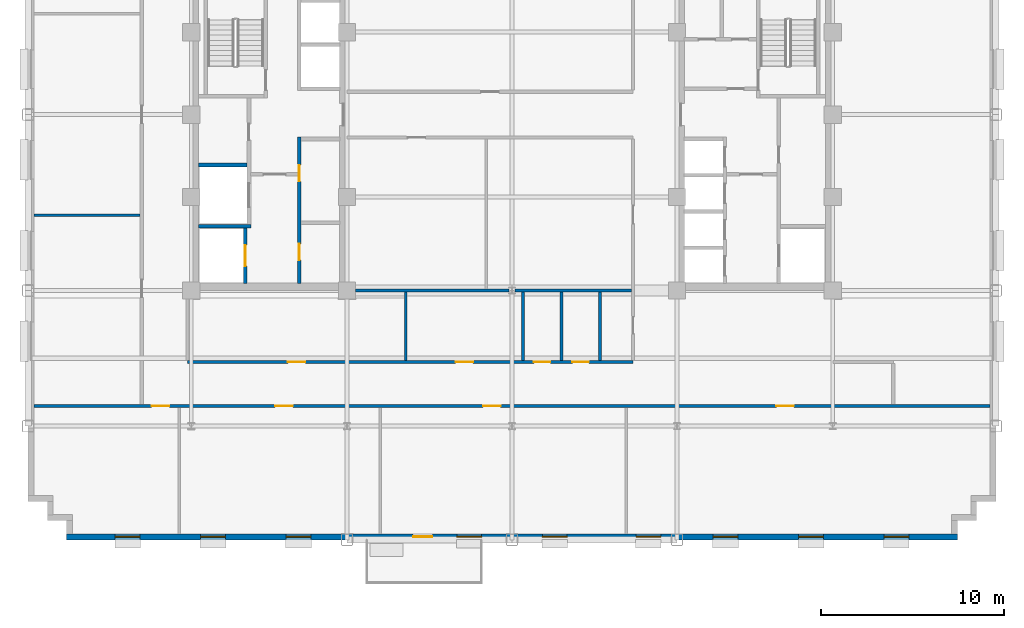
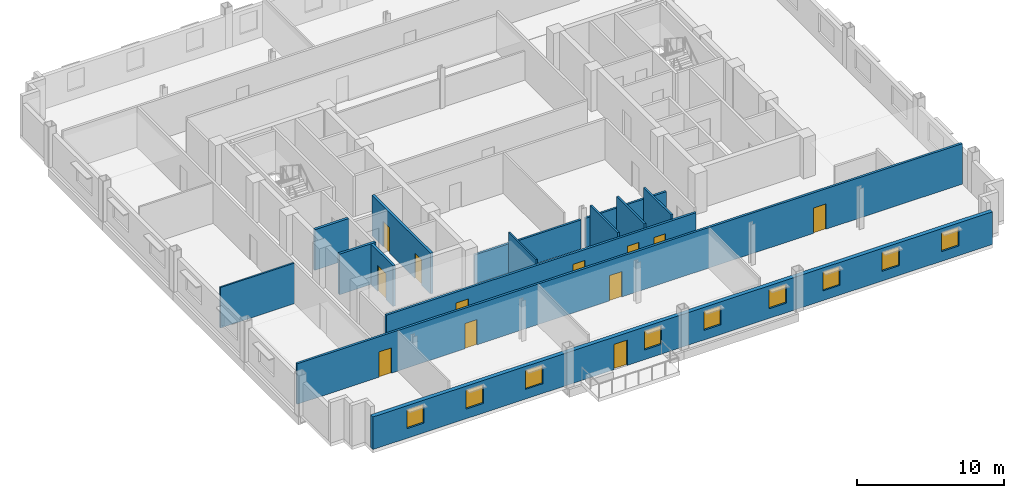
# One storey, part 6 of 13: 14 walls, 12 doors, 9 windows, 21 openings.
"""IFC4 building model written with IfcOpenShell, lengths in metres."""

from ifc_helpers import new_model, si_unit, direction, frame, frame_2d, origin, place, context, subcontext, project, spatial, rectangle, extrude, source, transform, mapped, material, layer, layer_set, type_object, type_shapes, element, fill, save


model = new_model("IFC4")

# Units and contexts
model_context = context("Model", 3, precision=1e-05, world=origin(), true_north=direction((0.0, 1.0)))
body_context = subcontext(model_context, "Body", "Model", "MODEL_VIEW")
ifc_project = project(units=[si_unit("LENGTHUNIT", "METRE"), si_unit("AREAUNIT", "SQUARE_METRE"), si_unit("VOLUMEUNIT", "CUBIC_METRE"), si_unit("PLANEANGLEUNIT", "RADIAN"), si_unit("MASSUNIT", "GRAM", prefix="KILO")], contexts=[model_context])

# Site, building, storey
site_placement = place(None, origin())
site = spatial("IfcSite", under=ifc_project, at=site_placement, CompositionType="ELEMENT")
building_placement = place(site_placement, origin())
building = spatial("IfcBuilding", under=site, at=building_placement, Name="Nuvemarco Arch Tower", CompositionType="ELEMENT")
storey_placement = place(building_placement, frame((0.0, 0.0, 153.050048828125)))
storey = spatial("IfcBuildingStorey", under=building, at=storey_placement, Name="L40", CompositionType="ELEMENT", Elevation=153.050048828125)

# Wall, openings, door, windows
ifc_material_1 = material(Name="Precast concrete C45/55", Category="concrete")
ifc_layer_1 = layer(ifc_material_1, 0.320068359375, Name="EW-MID-320")
ifc_layer_set_1 = layer_set([ifc_layer_1], Name="Precast concrete C45/55")
wall_type_1 = type_object("IfcWallType", Name="EW-MID-320", PredefinedType="STANDARD", material=ifc_layer_set_1)
wall_1_placement = place(storey_placement, frame((-24.300048828125, -23.0400390625, 0.0), z_axis=(0.0, 0.0, 1.0), x_axis=(1.0, 0.0, 0.0)))
wall_1 = element("IfcWall", 1, at=wall_1_placement, inside=storey, type_object=wall_type_1, Name="L40 exterior precast facade wall 1", PredefinedType="STANDARD", context=body_context, shape_type="SweptSolid", body=[
    extrude(rectangle(XDim=48.60009765625, YDim=0.320068359375, at=frame_2d((24.300048828125, 0.0))), origin(), (0.0, 0.0, 1.0), 2.704833984375),
])
opening_1_placement = place(wall_1_placement, frame((19.949951171875, 0.0, 0.0), z_axis=(0.0, 0.0, 1.0), x_axis=(-1.0, 0.0, 0.0)))
opening_1 = element("IfcOpeningElement", 2, at=opening_1_placement, cuts=wall_1, Name="Opening ED-5", PredefinedType="OPENING", context=body_context, shape_type="SweptSolid", body=[
    extrude(rectangle(XDim=1.050048828125, YDim=2.10009765625, at=frame_2d((0.52490234375, 1.050048828125))), frame((0.0, 0.169921875, 0.0), z_axis=(0.0, -1.0, 0.0), x_axis=(1.0, 0.0, 0.0)), (0.0, 0.0, 1.0), 0.340087890625),
])
opening_2_placement = place(wall_1_placement, frame((2.655029296875, 0.0, 0.800048828125)))
opening_2 = element("IfcOpeningElement", 3, at=opening_2_placement, cuts=wall_1, Name="Opening WN-6", PredefinedType="OPENING", context=body_context, shape_type="SweptSolid", body=[
    extrude(rectangle(XDim=1.35009765625, YDim=1.56005859375, at=frame_2d((0.675048828125, 0.780029296875))), frame((0.0, 0.169921875, 0.0), z_axis=(0.0, -1.0, 0.0), x_axis=(1.0, 0.0, 0.0)), (0.0, 0.0, 1.0), 0.340087890625),
])
opening_3_placement = place(wall_1_placement, frame((7.31494140625, 0.0, 0.800048828125)))
opening_3 = element("IfcOpeningElement", 4, at=opening_3_placement, cuts=wall_1, Name="Opening WN-6", PredefinedType="OPENING", context=body_context, shape_type="SweptSolid", body=[
    extrude(rectangle(XDim=1.35009765625, YDim=1.56005859375, at=frame_2d((0.675048828125, 0.780029296875))), frame((0.0, 0.169921875, 0.0), z_axis=(0.0, -1.0, 0.0), x_axis=(1.0, 0.0, 0.0)), (0.0, 0.0, 1.0), 0.340087890625),
])
opening_4_placement = place(wall_1_placement, frame((11.97509765625, 0.0, 0.800048828125)))
opening_4 = element("IfcOpeningElement", 5, at=opening_4_placement, cuts=wall_1, Name="Opening WN-6", PredefinedType="OPENING", context=body_context, shape_type="SweptSolid", body=[
    extrude(rectangle(XDim=1.35009765625, YDim=1.56005859375, at=frame_2d((0.675048828125, 0.780029296875))), frame((0.0, 0.169921875, 0.0), z_axis=(0.0, -1.0, 0.0), x_axis=(1.0, 0.0, 0.0)), (0.0, 0.0, 1.0), 0.340087890625),
])
opening_5_placement = place(wall_1_placement, frame((21.294921875, 0.0, 0.800048828125)))
opening_5 = element("IfcOpeningElement", 6, at=opening_5_placement, cuts=wall_1, Name="Opening WN-6", PredefinedType="OPENING", context=body_context, shape_type="SweptSolid", body=[
    extrude(rectangle(XDim=1.35009765625, YDim=1.56005859375, at=frame_2d((0.675048828125, 0.780029296875))), frame((0.0, 0.169921875, 0.0), z_axis=(0.0, -1.0, 0.0), x_axis=(1.0, 0.0, 0.0)), (0.0, 0.0, 1.0), 0.340087890625),
])
opening_6_placement = place(wall_1_placement, frame((25.955078125, 0.0, 0.800048828125)))
opening_6 = element("IfcOpeningElement", 7, at=opening_6_placement, cuts=wall_1, Name="Opening WN-6", PredefinedType="OPENING", context=body_context, shape_type="SweptSolid", body=[
    extrude(rectangle(XDim=1.35009765625, YDim=1.56005859375, at=frame_2d((0.675048828125, 0.780029296875))), frame((0.0, 0.169921875, 0.0), z_axis=(0.0, -1.0, 0.0), x_axis=(1.0, 0.0, 0.0)), (0.0, 0.0, 1.0), 0.340087890625),
])
opening_7_placement = place(wall_1_placement, frame((31.06494140625, 0.0, 0.800048828125)))
opening_7 = element("IfcOpeningElement", 8, at=opening_7_placement, cuts=wall_1, Name="Opening WN-6", PredefinedType="OPENING", context=body_context, shape_type="SweptSolid", body=[
    extrude(rectangle(XDim=1.35009765625, YDim=1.56005859375, at=frame_2d((0.675048828125, 0.780029296875))), frame((0.0, 0.169921875, 0.0), z_axis=(0.0, -1.0, 0.0), x_axis=(1.0, 0.0, 0.0)), (0.0, 0.0, 1.0), 0.340087890625),
])
opening_8_placement = place(wall_1_placement, frame((35.27490234375, 0.0, 0.800048828125)))
opening_8 = element("IfcOpeningElement", 9, at=opening_8_placement, cuts=wall_1, Name="Opening WN-6", PredefinedType="OPENING", context=body_context, shape_type="SweptSolid", body=[
    extrude(rectangle(XDim=1.35009765625, YDim=1.56005859375, at=frame_2d((0.675048828125, 0.780029296875))), frame((0.0, 0.169921875, 0.0), z_axis=(0.0, -1.0, 0.0), x_axis=(1.0, 0.0, 0.0)), (0.0, 0.0, 1.0), 0.340087890625),
])
opening_9_placement = place(wall_1_placement, frame((39.93505859375, 0.0, 0.800048828125)))
opening_9 = element("IfcOpeningElement", 10, at=opening_9_placement, cuts=wall_1, Name="Opening WN-6", PredefinedType="OPENING", context=body_context, shape_type="SweptSolid", body=[
    extrude(rectangle(XDim=1.35009765625, YDim=1.56005859375, at=frame_2d((0.675048828125, 0.780029296875))), frame((0.0, 0.169921875, 0.0), z_axis=(0.0, -1.0, 0.0), x_axis=(1.0, 0.0, 0.0)), (0.0, 0.0, 1.0), 0.340087890625),
])
opening_10_placement = place(wall_1_placement, frame((44.594970703125, 0.0, 0.800048828125)))
opening_10 = element("IfcOpeningElement", 11, at=opening_10_placement, cuts=wall_1, Name="Opening WN-6", PredefinedType="OPENING", context=body_context, shape_type="SweptSolid", body=[
    extrude(rectangle(XDim=1.35009765625, YDim=1.56005859375, at=frame_2d((0.675048828125, 0.780029296875))), frame((0.0, 0.169921875, 0.0), z_axis=(0.0, -1.0, 0.0), x_axis=(1.0, 0.0, 0.0)), (0.0, 0.0, 1.0), 0.340087890625),
])
ifc_material_2 = material(Name="Anodised bronze and laminated glass", Category="glass")
door_type_1 = type_object("IfcDoorType", Name="DR-EXT-TERR", OperationType="NOTDEFINED", PredefinedType="DOOR", material=ifc_material_2)
shared_shape_1 = source(origin(), body_context, "Body", "SweptSolid", [
    extrude(rectangle(XDim=1.050048828125, YDim=2.10009765625, at=frame_2d((0.52490234375, 1.050048828125))), frame((0.0, 0.02490234375, 0.0), z_axis=(0.0, -1.0, 0.0), x_axis=(1.0, 0.0, 0.0)), (0.0, 0.0, 1.0), 0.050048828125),
])
type_shapes(door_type_1, [shared_shape_1])
door_1_placement = place(opening_1_placement, origin())
door_1 = element("IfcDoor", 12, at=door_1_placement, inside=storey, type_object=door_type_1, Name="L40 spiral terrace access door", OperationType="SINGLE_SWING_LEFT", OverallHeight=2.10009765625, OverallWidth=1.050048828125, PredefinedType="DOOR", context=body_context, shape_type="MappedRepresentation", body=[
    mapped(shared_shape_1, transform((0.0, 0.0, 0.0), scale=1.0)),
])
fill(opening_1, door_1)
ifc_material_3 = material(Name="Insulated solar-control glass", Category="glass")
window_type = type_object("IfcWindowType", Name="WN-MID-1350x1560", PartitioningType="SINGLE_PANEL", PredefinedType="WINDOW", material=ifc_material_3)
shared_shape_2 = source(origin(), body_context, "Body", "SweptSolid", [
    extrude(rectangle(XDim=1.35009765625, YDim=1.56005859375, at=frame_2d((0.675048828125, 0.780029296875))), frame((0.0, 0.030029296875, 0.0), z_axis=(0.0, -1.0, 0.0), x_axis=(1.0, 0.0, 0.0)), (0.0, 0.0, 1.0), 0.06005859375),
])
type_shapes(window_type, [shared_shape_2])
window_1_placement = place(opening_2_placement, origin())
window_1 = element("IfcWindow", 13, at=window_1_placement, inside=storey, type_object=window_type, Name="L40 punched facade window 1", OverallHeight=1.56005859375, OverallWidth=1.35009765625, PartitioningType="SINGLE_PANEL", PredefinedType="WINDOW", context=body_context, shape_type="MappedRepresentation", body=[
    mapped(shared_shape_2, transform((0.0, 0.0, 0.0), scale=1.0)),
])
fill(opening_2, window_1)
window_2_placement = place(opening_3_placement, origin())
window_2 = element("IfcWindow", 14, at=window_2_placement, inside=storey, type_object=window_type, Name="L40 punched facade window 2", OverallHeight=1.56005859375, OverallWidth=1.35009765625, PartitioningType="SINGLE_PANEL", PredefinedType="WINDOW", context=body_context, shape_type="MappedRepresentation", body=[
    mapped(shared_shape_2, transform((0.0, 0.0, 0.0), scale=1.0)),
])
fill(opening_3, window_2)
window_3_placement = place(opening_4_placement, origin())
window_3 = element("IfcWindow", 15, at=window_3_placement, inside=storey, type_object=window_type, Name="L40 punched facade window 3", OverallHeight=1.56005859375, OverallWidth=1.35009765625, PartitioningType="SINGLE_PANEL", PredefinedType="WINDOW", context=body_context, shape_type="MappedRepresentation", body=[
    mapped(shared_shape_2, transform((0.0, 0.0, 0.0), scale=1.0)),
])
fill(opening_4, window_3)
window_4_placement = place(opening_5_placement, origin())
window_4 = element("IfcWindow", 16, at=window_4_placement, inside=storey, type_object=window_type, Name="L40 punched facade window 5", OverallHeight=1.56005859375, OverallWidth=1.35009765625, PartitioningType="SINGLE_PANEL", PredefinedType="WINDOW", context=body_context, shape_type="MappedRepresentation", body=[
    mapped(shared_shape_2, transform((0.0, 0.0, 0.0), scale=1.0)),
])
fill(opening_5, window_4)
window_5_placement = place(opening_6_placement, origin())
window_5 = element("IfcWindow", 17, at=window_5_placement, inside=storey, type_object=window_type, Name="L40 punched facade window 6", OverallHeight=1.56005859375, OverallWidth=1.35009765625, PartitioningType="SINGLE_PANEL", PredefinedType="WINDOW", context=body_context, shape_type="MappedRepresentation", body=[
    mapped(shared_shape_2, transform((0.0, 0.0, 0.0), scale=1.0)),
])
fill(opening_6, window_5)
window_6_placement = place(opening_7_placement, origin())
window_6 = element("IfcWindow", 18, at=window_6_placement, inside=storey, type_object=window_type, Name="L40 punched facade window 7", OverallHeight=1.56005859375, OverallWidth=1.35009765625, PartitioningType="SINGLE_PANEL", PredefinedType="WINDOW", context=body_context, shape_type="MappedRepresentation", body=[
    mapped(shared_shape_2, transform((0.0, 0.0, 0.0), scale=1.0)),
])
fill(opening_7, window_6)
window_7_placement = place(opening_8_placement, origin())
window_7 = element("IfcWindow", 19, at=window_7_placement, inside=storey, type_object=window_type, Name="L40 punched facade window 8", OverallHeight=1.56005859375, OverallWidth=1.35009765625, PartitioningType="SINGLE_PANEL", PredefinedType="WINDOW", context=body_context, shape_type="MappedRepresentation", body=[
    mapped(shared_shape_2, transform((0.0, 0.0, 0.0), scale=1.0)),
])
fill(opening_8, window_7)
window_8_placement = place(opening_9_placement, origin())
window_8 = element("IfcWindow", 20, at=window_8_placement, inside=storey, type_object=window_type, Name="L40 punched facade window 9", OverallHeight=1.56005859375, OverallWidth=1.35009765625, PartitioningType="SINGLE_PANEL", PredefinedType="WINDOW", context=body_context, shape_type="MappedRepresentation", body=[
    mapped(shared_shape_2, transform((0.0, 0.0, 0.0), scale=1.0)),
])
fill(opening_9, window_8)
window_9_placement = place(opening_10_placement, origin())
window_9 = element("IfcWindow", 21, at=window_9_placement, inside=storey, type_object=window_type, Name="L40 punched facade window 10", OverallHeight=1.56005859375, OverallWidth=1.35009765625, PartitioningType="SINGLE_PANEL", PredefinedType="WINDOW", context=body_context, shape_type="MappedRepresentation", body=[
    mapped(shared_shape_2, transform((0.0, 0.0, 0.0), scale=1.0)),
])
fill(opening_10, window_9)

# Wall, openings, doors
ifc_material_4 = material(Name="Fire-rated gypsum drywall partition")
ifc_layer_2 = layer(ifc_material_4, 0.179931640625, Name="WL-CORR-180")
ifc_layer_set_2 = layer_set([ifc_layer_2], Name="Fire-rated gypsum drywall partition")
wall_type_2 = type_object("IfcWallType", Name="WL-CORR-180", PredefinedType="PARTITIONING", material=ifc_layer_set_2)
wall_2_placement = place(storey_placement, frame((-26.080078125, -15.89990234375, 0.0), z_axis=(0.0, 0.0, 1.0), x_axis=(1.0, 0.0, 0.0)))
wall_2 = element("IfcWall", 22, at=wall_2_placement, inside=storey, type_object=wall_type_2, Name="L40 interior wall IW-L40-001", PredefinedType="PARTITIONING", context=body_context, shape_type="SweptSolid", body=[
    extrude(rectangle(XDim=52.16015625, YDim=0.179931640625, at=frame_2d((26.080078125, 0.0))), origin(), (0.0, 0.0, 1.0), 3.35986328125),
])
opening_11_placement = place(wall_2_placement, frame((24.5, 0.0, 0.0)))
opening_11 = element("IfcOpeningElement", 23, at=opening_11_placement, cuts=wall_2, Name="Opening FD-5", PredefinedType="OPENING", context=body_context, shape_type="SweptSolid", body=[
    extrude(rectangle(XDim=0.9599609375, YDim=2.10009765625, at=frame_2d((0.47998046875, 1.050048828125))), frame((0.0, 0.099853515625, 0.0), z_axis=(0.0, -1.0, 0.0), x_axis=(1.0, 0.0, 0.0)), (0.0, 0.0, 1.0), 0.199951171875),
])
opening_12_placement = place(wall_2_placement, frame((40.5, 0.0, 0.0)))
opening_12 = element("IfcOpeningElement", 24, at=opening_12_placement, cuts=wall_2, Name="Opening FD-5", PredefinedType="OPENING", context=body_context, shape_type="SweptSolid", body=[
    extrude(rectangle(XDim=0.9599609375, YDim=2.10009765625, at=frame_2d((0.47998046875, 1.050048828125))), frame((0.0, 0.099853515625, 0.0), z_axis=(0.0, -1.0, 0.0), x_axis=(1.0, 0.0, 0.0)), (0.0, 0.0, 1.0), 0.199951171875),
])
opening_13_placement = place(wall_2_placement, frame((13.159912109375, 0.0, 0.0)))
opening_13 = element("IfcOpeningElement", 25, at=opening_13_placement, cuts=wall_2, Name="Opening FD-5", PredefinedType="OPENING", context=body_context, shape_type="SweptSolid", body=[
    extrude(rectangle(XDim=0.9599609375, YDim=2.10009765625, at=frame_2d((0.47998046875, 1.050048828125))), frame((0.0, 0.099853515625, 0.0), z_axis=(0.0, -1.0, 0.0), x_axis=(1.0, 0.0, 0.0)), (0.0, 0.0, 1.0), 0.199951171875),
])
opening_14_placement = place(wall_2_placement, frame((6.425048828125, 0.0, 0.0)))
opening_14 = element("IfcOpeningElement", 26, at=opening_14_placement, cuts=wall_2, Name="Opening FD-5", PredefinedType="OPENING", context=body_context, shape_type="SweptSolid", body=[
    extrude(rectangle(XDim=0.9599609375, YDim=2.10009765625, at=frame_2d((0.47998046875, 1.050048828125))), frame((0.0, 0.099853515625, 0.0), z_axis=(0.0, -1.0, 0.0), x_axis=(1.0, 0.0, 0.0)), (0.0, 0.0, 1.0), 0.199951171875),
])
ifc_material_5 = material(Name="Timber fire door", Category="wood")
door_type_2 = type_object("IfcDoorType", Name="DR-CORR-FD", OperationType="NOTDEFINED", PredefinedType="DOOR", material=ifc_material_5)
shared_shape_3 = source(origin(), body_context, "Body", "SweptSolid", [
    extrude(rectangle(XDim=0.9599609375, YDim=2.10009765625, at=frame_2d((0.47998046875, 1.050048828125))), frame((0.0, 0.02490234375, 0.0), z_axis=(0.0, -1.0, 0.0), x_axis=(1.0, 0.0, 0.0)), (0.0, 0.0, 1.0), 0.050048828125),
])
type_shapes(door_type_2, [shared_shape_3])
door_2_placement = place(opening_11_placement, origin())
door_2 = element("IfcDoor", 27, at=door_2_placement, inside=storey, type_object=door_type_2, Name="L40 door DR-L40-S_3", OperationType="SINGLE_SWING_RIGHT", OverallHeight=2.10009765625, OverallWidth=0.9599609375, PredefinedType="DOOR", context=body_context, shape_type="MappedRepresentation", body=[
    mapped(shared_shape_3, transform((0.0, 0.0, 0.0), scale=1.0)),
])
fill(opening_11, door_2)
door_3_placement = place(opening_12_placement, origin())
door_3 = element("IfcDoor", 28, at=door_3_placement, inside=storey, type_object=door_type_2, Name="L40 door DR-L40-S_4", OperationType="SINGLE_SWING_RIGHT", OverallHeight=2.10009765625, OverallWidth=0.9599609375, PredefinedType="DOOR", context=body_context, shape_type="MappedRepresentation", body=[
    mapped(shared_shape_3, transform((0.0, 0.0, 0.0), scale=1.0)),
])
fill(opening_12, door_3)
door_4_placement = place(opening_13_placement, origin())
door_4 = element("IfcDoor", 29, at=door_4_placement, inside=storey, type_object=door_type_2, Name="L40 door DR-L40-S_2", OperationType="SINGLE_SWING_LEFT", OverallHeight=2.10009765625, OverallWidth=0.9599609375, PredefinedType="DOOR", context=body_context, shape_type="MappedRepresentation", body=[
    mapped(shared_shape_3, transform((0.0, 0.0, 0.0), scale=1.0)),
])
fill(opening_13, door_4)
door_5_placement = place(opening_14_placement, origin())
door_5 = element("IfcDoor", 30, at=door_5_placement, inside=storey, type_object=door_type_2, Name="L40 door DR-L40-S_1", OperationType="SINGLE_SWING_LEFT", OverallHeight=2.10009765625, OverallWidth=0.9599609375, PredefinedType="DOOR", context=body_context, shape_type="MappedRepresentation", body=[
    mapped(shared_shape_3, transform((0.0, 0.0, 0.0), scale=1.0)),
])
fill(opening_14, door_5)

wall_3_placement = place(storey_placement, frame((-17.699951171875, -13.5, 0.0), z_axis=(0.0, 0.0, 1.0), x_axis=(1.0, 0.0, 0.0)))
wall_3 = element("IfcWall", 31, at=wall_3_placement, inside=storey, type_object=wall_type_2, Name="L40 interior wall IW-L40-002", PredefinedType="PARTITIONING", context=body_context, shape_type="SweptSolid", body=[
    extrude(rectangle(XDim=24.300048828125, YDim=0.179931640625, at=frame_2d((12.14990234375, 0.0))), origin(), (0.0, 0.0, 1.0), 2.998046875),
])
opening_15_placement = place(wall_3_placement, frame((5.469970703125, 0.0, 0.0)))
opening_15 = element("IfcOpeningElement", 32, at=opening_15_placement, cuts=wall_3, Name="Opening FD-5", PredefinedType="OPENING", context=body_context, shape_type="SweptSolid", body=[
    extrude(rectangle(XDim=0.9599609375, YDim=2.10009765625, at=frame_2d((0.47998046875, 1.050048828125))), frame((0.0, 0.099853515625, 0.0), z_axis=(0.0, -1.0, 0.0), x_axis=(1.0, 0.0, 0.0)), (0.0, 0.0, 1.0), 0.199951171875),
])
opening_16_placement = place(wall_3_placement, frame((14.6201171875, 0.0, 0.0)))
opening_16 = element("IfcOpeningElement", 33, at=opening_16_placement, cuts=wall_3, Name="Opening FD-5", PredefinedType="OPENING", context=body_context, shape_type="SweptSolid", body=[
    extrude(rectangle(XDim=0.9599609375, YDim=2.10009765625, at=frame_2d((0.47998046875, 1.050048828125))), frame((0.0, 0.099853515625, 0.0), z_axis=(0.0, -1.0, 0.0), x_axis=(1.0, 0.0, 0.0)), (0.0, 0.0, 1.0), 0.199951171875),
])
opening_17_placement = place(wall_3_placement, frame((18.89990234375, 0.0, 0.0)))
opening_17 = element("IfcOpeningElement", 34, at=opening_17_placement, cuts=wall_3, Name="Opening ID-3", PredefinedType="OPENING", context=body_context, shape_type="SweptSolid", body=[
    extrude(rectangle(XDim=0.89990234375, YDim=2.10009765625, at=frame_2d((0.449951171875, 1.050048828125))), frame((0.0, 0.099853515625, 0.0), z_axis=(0.0, -1.0, 0.0), x_axis=(1.0, 0.0, 0.0)), (0.0, 0.0, 1.0), 0.199951171875),
])
opening_18_placement = place(wall_3_placement, frame((21.0, 0.0, 0.0)))
opening_18 = element("IfcOpeningElement", 35, at=opening_18_placement, cuts=wall_3, Name="Opening ID-3", PredefinedType="OPENING", context=body_context, shape_type="SweptSolid", body=[
    extrude(rectangle(XDim=0.89990234375, YDim=2.10009765625, at=frame_2d((0.449951171875, 1.050048828125))), frame((0.0, 0.099853515625, 0.0), z_axis=(0.0, -1.0, 0.0), x_axis=(1.0, 0.0, 0.0)), (0.0, 0.0, 1.0), 0.199951171875),
])
door_6_placement = place(opening_15_placement, origin())
door_6 = element("IfcDoor", 36, at=door_6_placement, inside=storey, type_object=door_type_2, Name="L40 door DR-L40-IN_S1", OperationType="SINGLE_SWING_RIGHT", OverallHeight=2.10009765625, OverallWidth=0.9599609375, PredefinedType="DOOR", context=body_context, shape_type="MappedRepresentation", body=[
    mapped(shared_shape_3, transform((0.0, 0.0, 0.0), scale=1.0)),
])
fill(opening_15, door_6)
door_7_placement = place(opening_16_placement, origin())
door_7 = element("IfcDoor", 37, at=door_7_placement, inside=storey, type_object=door_type_2, Name="L40 door DR-L40-IN_S2", OperationType="SINGLE_SWING_RIGHT", OverallHeight=2.10009765625, OverallWidth=0.9599609375, PredefinedType="DOOR", context=body_context, shape_type="MappedRepresentation", body=[
    mapped(shared_shape_3, transform((0.0, 0.0, 0.0), scale=1.0)),
])
fill(opening_16, door_7)
ifc_material_6 = material(Name="Veneered oak timber fire door", Category="wood")
door_type_3 = type_object("IfcDoorType", Name="DR-WC-ACC", OperationType="NOTDEFINED", PredefinedType="DOOR", material=ifc_material_6)
shared_shape_4 = source(origin(), body_context, "Body", "SweptSolid", [
    extrude(rectangle(XDim=0.89990234375, YDim=2.10009765625, at=frame_2d((0.449951171875, 1.050048828125))), frame((0.0, 0.02490234375, 0.0), z_axis=(0.0, -1.0, 0.0), x_axis=(1.0, 0.0, 0.0)), (0.0, 0.0, 1.0), 0.050048828125),
])
type_shapes(door_type_3, [shared_shape_4])
door_8_placement = place(opening_17_placement, origin())
door_8 = element("IfcDoor", 38, at=door_8_placement, inside=storey, type_object=door_type_3, Name="L40 door DR-L40-WC_M", OperationType="SINGLE_SWING_LEFT", OverallHeight=2.10009765625, OverallWidth=0.89990234375, PredefinedType="DOOR", context=body_context, shape_type="MappedRepresentation", body=[
    mapped(shared_shape_4, transform((0.0, 0.0, 0.0), scale=1.0)),
])
fill(opening_17, door_8)
door_9_placement = place(opening_18_placement, origin())
door_9 = element("IfcDoor", 39, at=door_9_placement, inside=storey, type_object=door_type_3, Name="L40 door DR-L40-WC_F", OperationType="SINGLE_SWING_RIGHT", OverallHeight=2.10009765625, OverallWidth=0.89990234375, PredefinedType="DOOR", context=body_context, shape_type="MappedRepresentation", body=[
    mapped(shared_shape_4, transform((0.0, 0.0, 0.0), scale=1.0)),
])
fill(opening_18, door_9)

# Walls
ifc_material_7 = material(Name="Glazed acoustic office partition")
ifc_layer_3 = layer(ifc_material_7, 0.1298828125, Name="WL-EXEC-130")
ifc_layer_set_3 = layer_set([ifc_layer_3], Name="Glazed acoustic office partition")
wall_type_3 = type_object("IfcWallType", Name="WL-EXEC-130", PredefinedType="PARTITIONING", material=ifc_layer_set_3)
wall_4_placement = place(storey_placement, frame((-26.080078125, -5.5, 0.0), z_axis=(0.0, 0.0, 1.0), x_axis=(1.0, 0.0, 0.0)))
element("IfcWall", 40, at=wall_4_placement, inside=storey, type_object=wall_type_3, Name="L40 interior wall IW-L40-006", PredefinedType="PARTITIONING", context=body_context, shape_type="SweptSolid", body=[
    extrude(rectangle(XDim=5.794189453125, YDim=0.1298828125, at=frame_2d((2.89697265625, 0.0))), origin(), (0.0, 0.0, 1.0), 3.35986328125),
])
wall_5_placement = place(storey_placement, frame((-5.800048828125, -13.4140625, 0.0), z_axis=(0.0, 0.0, 1.0), x_axis=(0.0, 1.0, 0.0)))
element("IfcWall", 41, at=wall_5_placement, inside=storey, type_object=wall_type_3, Name="L40 interior wall IW-L40-021", PredefinedType="PARTITIONING", context=body_context, shape_type="SweptSolid", body=[
    extrude(rectangle(XDim=3.738037109375, YDim=0.1298828125, at=frame_2d((1.869140625, 0.0))), origin(), (0.0, 0.0, 1.0), 3.35986328125),
])

# Wall, opening, door
ifc_material_8 = material(Name="Concrete C50/60", Category="concrete")
ifc_layer_4 = layer(ifc_material_8, 0.199951171875, Name="WL-SHAFT-220")
ifc_layer_set_4 = layer_set([ifc_layer_4], Name="Concrete C50/60")
wall_type_4 = type_object("IfcWallType", Name="WL-SHAFT-220", PredefinedType="SHEAR", material=ifc_layer_set_4)
wall_6_placement = place(storey_placement, frame((-14.550048828125, -9.205078125, 0.0), z_axis=(0.0, 0.0, 1.0), x_axis=(0.0, 1.0, 0.0)))
wall_6 = element("IfcWall", 42, at=wall_6_placement, inside=storey, type_object=wall_type_4, Name="L40 structural shaft wall SW-L40-W-SHE", PredefinedType="SHEAR", context=body_context, shape_type="SweptSolid", body=[
    extrude(rectangle(XDim=3.010009765625, YDim=0.199951171875, at=frame_2d((1.5048828125, 0.0))), origin(), (0.0, 0.0, 1.0), 3.369873046875),
])
opening_19_placement = place(wall_6_placement, frame((0.929931640625, 0.0, 0.0)))
opening_19 = element("IfcOpeningElement", 43, at=opening_19_placement, cuts=wall_6, Name="Opening LD-2", PredefinedType="OPENING", context=body_context, shape_type="SweptSolid", body=[
    extrude(rectangle(XDim=1.14990234375, YDim=2.14990234375, at=frame_2d((0.574951171875, 1.074951171875))), frame((0.0, 0.10986328125, 0.0), z_axis=(0.0, -1.0, 0.0), x_axis=(1.0, 0.0, 0.0)), (0.0, 0.0, 1.0), 0.219970703125),
])
ifc_material_9 = material(Name="Stainless steel lift door", Category="steel")
door_type_4 = type_object("IfcDoorType", Name="DR-LIFT-FIRE", OperationType="DOUBLE_DOOR_SLIDING", PredefinedType="DOOR", material=ifc_material_9)
shared_shape_5 = source(origin(), body_context, "Body", "SweptSolid", [
    extrude(rectangle(XDim=1.14990234375, YDim=2.14990234375, at=frame_2d((0.574951171875, 1.074951171875))), frame((0.0, 0.02490234375, 0.0), z_axis=(0.0, -1.0, 0.0), x_axis=(1.0, 0.0, 0.0)), (0.0, 0.0, 1.0), 0.050048828125),
])
type_shapes(door_type_4, [shared_shape_5])
door_10_placement = place(opening_19_placement, origin())
door_10 = element("IfcDoor", 44, at=door_10_placement, inside=storey, type_object=door_type_4, Name="L40 Lift landing sliding door FFL-1", OperationType="DOUBLE_DOOR_SLIDING", OverallHeight=2.14990234375, OverallWidth=1.14990234375, PredefinedType="DOOR", context=body_context, shape_type="MappedRepresentation", body=[
    mapped(shared_shape_5, transform((0.0, 0.0, 0.0), scale=1.0)),
])
fill(opening_19, door_10)

# Walls
wall_7_placement = place(storey_placement, frame((-17.10498046875, -6.10009765625, 0.0), z_axis=(0.0, 0.0, 1.0), x_axis=(1.0, 0.0, 0.0)))
element("IfcWall", 45, at=wall_7_placement, inside=storey, type_object=wall_type_4, Name="L40 structural shaft wall SW-L40-W-SH1", PredefinedType="SHEAR", context=body_context, shape_type="SweptSolid", body=[
    extrude(rectangle(XDim=2.85498046875, YDim=0.199951171875, at=frame_2d((1.427490234375, 0.0))), origin(), (0.0, 0.0, 1.0), 3.369873046875),
])
wall_8_placement = place(storey_placement, frame((-17.10498046875, -2.75, 0.0), z_axis=(0.0, 0.0, 1.0), x_axis=(1.0, 0.0, 0.0)))
element("IfcWall", 46, at=wall_8_placement, inside=storey, type_object=wall_type_4, Name="L40 structural shaft wall SW-L40-W-SH2", PredefinedType="SHEAR", context=body_context, shape_type="SweptSolid", body=[
    extrude(rectangle(XDim=2.659912109375, YDim=0.199951171875, at=frame_2d((1.330078125, 0.0))), origin(), (0.0, 0.0, 1.0), 3.369873046875),
])

# Wall, openings, doors
wall_9_placement = place(storey_placement, frame((-11.60009765625, -9.205078125, 0.0), z_axis=(0.0, 0.0, 1.0), x_axis=(0.0, 1.0, 0.0)))
wall_9 = element("IfcWall", 47, at=wall_9_placement, inside=storey, type_object=wall_type_4, Name="L40 structural shaft wall SW-L40-W-PLW", PredefinedType="SHEAR", context=body_context, shape_type="SweptSolid", body=[
    extrude(rectangle(XDim=7.97509765625, YDim=0.199951171875, at=frame_2d((3.987548828125, 0.0))), origin(), (0.0, 0.0, 1.0), 3.369873046875),
])
opening_20_placement = place(wall_9_placement, frame((1.264892578125, 0.0, 0.0)))
opening_20 = element("IfcOpeningElement", 48, at=opening_20_placement, cuts=wall_9, Name="Opening FD-4", PredefinedType="OPENING", context=body_context, shape_type="SweptSolid", body=[
    extrude(rectangle(XDim=0.8798828125, YDim=2.10009765625, at=frame_2d((0.43994140625, 1.050048828125))), frame((0.0, 0.10986328125, 0.0), z_axis=(0.0, -1.0, 0.0), x_axis=(1.0, 0.0, 0.0)), (0.0, 0.0, 1.0), 0.219970703125),
])
opening_21_placement = place(wall_9_placement, frame((5.56494140625, 0.0, 0.0)))
opening_21 = element("IfcOpeningElement", 49, at=opening_21_placement, cuts=wall_9, Name="Opening FD-4", PredefinedType="OPENING", context=body_context, shape_type="SweptSolid", body=[
    extrude(rectangle(XDim=0.8798828125, YDim=2.10009765625, at=frame_2d((0.43994140625, 1.050048828125))), frame((0.0, 0.10986328125, 0.0), z_axis=(0.0, -1.0, 0.0), x_axis=(1.0, 0.0, 0.0)), (0.0, 0.0, 1.0), 0.219970703125),
])
ifc_material_10 = material(Name="Anodised steel fire door", Category="steel")
door_type_5 = type_object("IfcDoorType", Name="DR-RISER-FD", OperationType="NOTDEFINED", PredefinedType="DOOR", material=ifc_material_10)
shared_shape_6 = source(origin(), body_context, "Body", "SweptSolid", [
    extrude(rectangle(XDim=0.8798828125, YDim=2.10009765625, at=frame_2d((0.43994140625, 1.050048828125))), frame((0.0, 0.02490234375, 0.0), z_axis=(0.0, -1.0, 0.0), x_axis=(1.0, 0.0, 0.0)), (0.0, 0.0, 1.0), 0.050048828125),
])
type_shapes(door_type_5, [shared_shape_6])
door_11_placement = place(opening_20_placement, origin())
door_11 = element("IfcDoor", 50, at=door_11_placement, inside=storey, type_object=door_type_5, Name="L40 door FD-L40-WREC1", OperationType="SINGLE_SWING_LEFT", OverallHeight=2.10009765625, OverallWidth=0.8798828125, PredefinedType="DOOR", context=body_context, shape_type="MappedRepresentation", body=[
    mapped(shared_shape_6, transform((0.0, 0.0, 0.0), scale=1.0)),
])
fill(opening_20, door_11)
door_12_placement = place(opening_21_placement, origin())
door_12 = element("IfcDoor", 51, at=door_12_placement, inside=storey, type_object=door_type_5, Name="L40 door FD-L40-WREC2", OperationType="SINGLE_SWING_RIGHT", OverallHeight=2.10009765625, OverallWidth=0.8798828125, PredefinedType="DOOR", context=body_context, shape_type="MappedRepresentation", body=[
    mapped(shared_shape_6, transform((0.0, 0.0, 0.0), scale=1.0)),
])
fill(opening_21, door_12)

# Walls
ifc_material_11 = material(Name="Acoustic gypsum drywall partition")
ifc_layer_5 = layer(ifc_material_11, 0.159912109375, Name="WL-TENANT-160")
ifc_layer_set_5 = layer_set([ifc_layer_5], Name="Acoustic gypsum drywall partition")
wall_type_5 = type_object("IfcWallType", Name="WL-TENANT-160", PredefinedType="PARTITIONING", material=ifc_layer_set_5)
wall_10_placement = place(storey_placement, frame((-8.529052734375, -9.60009765625, 0.0), z_axis=(0.0, 0.0, 1.0), x_axis=(1.0, 0.0, 0.0)))
element("IfcWall", 52, at=wall_10_placement, inside=storey, type_object=wall_type_5, Name="L40 interior wall IW-L40-004", PredefinedType="PARTITIONING", context=body_context, shape_type="SweptSolid", body=[
    extrude(rectangle(XDim=8.35302734375, YDim=0.159912109375, at=frame_2d((4.176513671875, 0.0))), origin(), (0.0, 0.0, 1.0), 2.405029296875),
])
wall_11_placement = place(storey_placement, frame((0.176025390625, -9.60009765625, 0.0), z_axis=(0.0, 0.0, 1.0), x_axis=(1.0, 0.0, 0.0)))
element("IfcWall", 53, at=wall_11_placement, inside=storey, type_object=wall_type_5, Name="L40 interior wall IW-L40-005", PredefinedType="PARTITIONING", context=body_context, shape_type="SweptSolid", body=[
    extrude(rectangle(XDim=6.337890625, YDim=0.159912109375, at=frame_2d((3.1689453125, 0.0))), origin(), (0.0, 0.0, 1.0), 2.405029296875),
])
ifc_material_12 = material(Name="Moisture-resistant gypsum partition")
ifc_layer_6 = layer(ifc_material_12, 0.14990234375, Name="WL-WET-150")
ifc_layer_set_6 = layer_set([ifc_layer_6], Name="Moisture-resistant gypsum partition")
wall_type_6 = type_object("IfcWallType", Name="WL-WET-150", PredefinedType="PARTITIONING", material=ifc_layer_set_6)
for number, where, z_axis, x_axis, name in (
    (54, (0.60009765625, -13.4140625, 0.0), (0.0, 0.0, 1.0), (0.0, 1.0, 0.0), "L40 interior wall IW-L40-023"),
    (55, (2.699951171875, -13.4140625, 0.0), (0.0, 0.0, 1.0), (0.0, 1.0, 0.0), "L40 interior wall IW-L40-024"),
    (56, (4.800048828125, -13.4140625, 0.0), (0.0, 0.0, 1.0), (0.0, 1.0, 0.0), "L40 interior wall IW-L40-025"),
):
    element("IfcWall", number, at=place(storey_placement, frame(where, z_axis=z_axis, x_axis=x_axis)), inside=storey, type_object=wall_type_6, Name=name, PredefinedType="PARTITIONING", context=body_context, shape_type="SweptSolid", body=[
        extrude(rectangle(XDim=3.738037109375, YDim=0.14990234375, at=frame_2d((1.869140625, 0.0))), origin(), (0.0, 0.0, 1.0), 3.35986328125),
    ])

save(model, "model.ifc")
